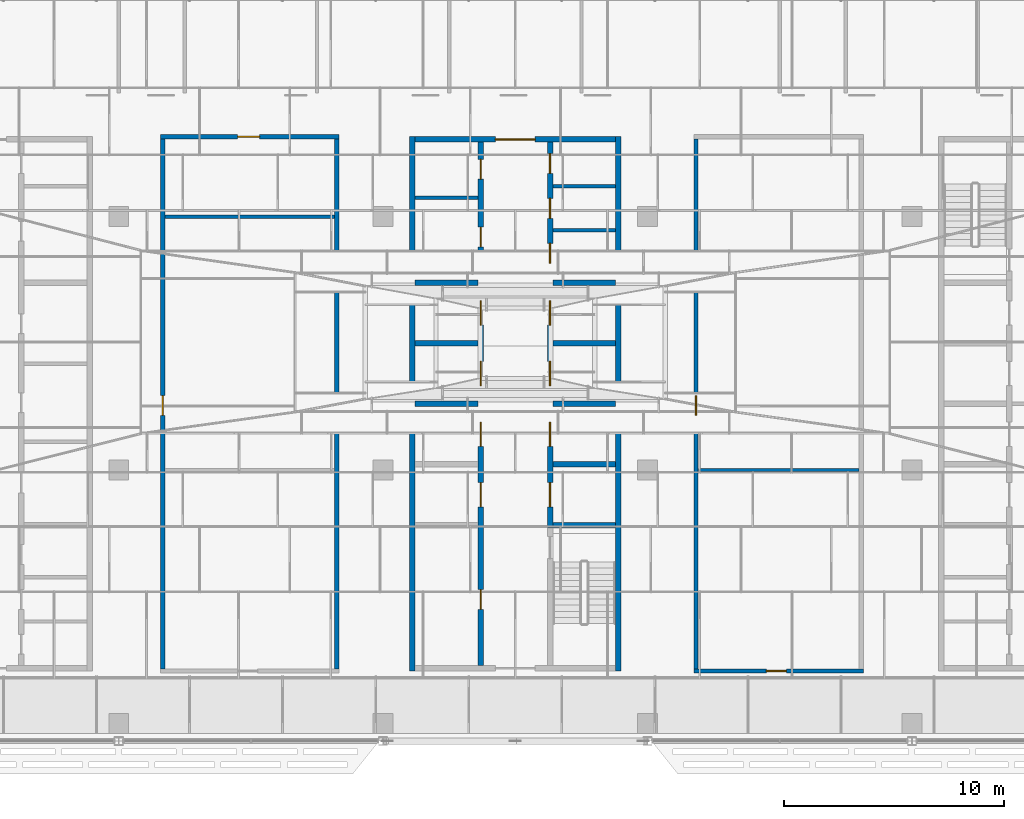
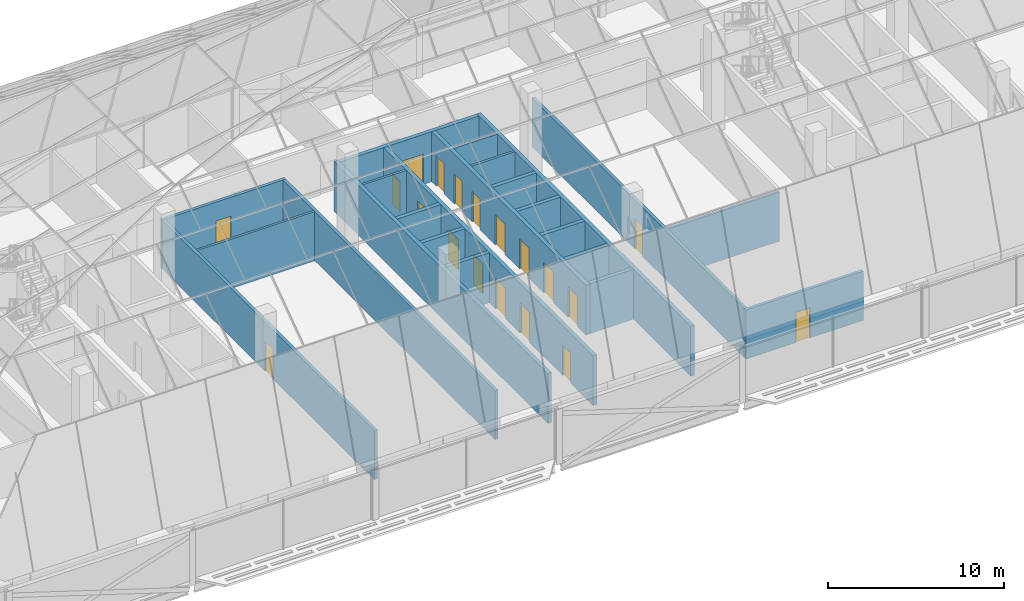
# One storey, part 25 of 39: 23 walls, 19 doors, 19 openings.
"""IFC4 building model written with IfcOpenShell, lengths in metres."""

from ifc_helpers import new_model, si_unit, direction, frame, frame_2d, origin, place, context, subcontext, project, spatial, rectangle, extrude, material, layer, layer_set, type_object, element, fill, save


model = new_model("IFC4")

# Units and contexts
model_context = context("Model", 3, precision=1e-05, world=origin(), true_north=direction((0.0, 1.0)))
body_context = subcontext(model_context, "Body", "Model", "MODEL_VIEW")
ifc_project = project(units=[si_unit("LENGTHUNIT", "METRE"), si_unit("AREAUNIT", "SQUARE_METRE"), si_unit("VOLUMEUNIT", "CUBIC_METRE"), si_unit("PLANEANGLEUNIT", "RADIAN"), si_unit("MASSUNIT", "GRAM", prefix="KILO")], contexts=[model_context])

# Site, building, storey
site_placement = place(None, origin())
site = spatial("IfcSite", under=ifc_project, at=site_placement, CompositionType="ELEMENT")
building_placement = place(site_placement, origin())
building = spatial("IfcBuilding", under=site, at=building_placement, Name="Mahtab Terrace Research Tower", CompositionType="ELEMENT")
storey_placement = place(building_placement, frame((0.0, 0.0, 282.300048828125)))
storey = spatial("IfcBuildingStorey", under=building, at=storey_placement, Name="L69", CompositionType="ELEMENT", Elevation=282.300048828125)

# Walls
ifc_material_1 = material(Name="Gypsum board partition")
ifc_layer_1 = layer(ifc_material_1, 0.14990234375)
ifc_layer_set_1 = layer_set([ifc_layer_1], Name="Core partition 150")
wall_type_1 = type_object("IfcWallType", Name="Core partition 150", PredefinedType="PARTITIONING", material=ifc_layer_set_1)
for number, where, z_axis, x_axis, name in (
    (1, (-4.550048828125, 12.35498046875, 0.0), (0.0, 0.0, 1.0), (1.0, 0.0, 0.0), "Core wall B pWN936"),
    (2, (1.699951171875, 10.875, 0.0), (0.0, 0.0, 1.0), (1.0, 0.0, 0.0), "Core wall B pEN788"),
    (3, (1.699951171875, 12.875, 0.0), (0.0, 0.0, 1.0), (1.0, 0.0, 0.0), "Core wall B pEN988"),
):
    element("IfcWall", number, at=place(storey_placement, frame(where, z_axis=z_axis, x_axis=x_axis)), inside=storey, type_object=wall_type_1, Name=name, PredefinedType="PARTITIONING", context=body_context, shape_type="SweptSolid", body=[
        extrude(rectangle(XDim=2.85009765625, YDim=0.14990234375, at=frame_2d((1.425048828125, 0.0))), origin(), (0.0, 0.0, 1.0), 3.4599609375),
    ])
ifc_material_2 = material(Name="Concrete C70/85", Category="concrete")
ifc_layer_2 = layer(ifc_material_2, 0.25)
ifc_layer_set_2 = layer_set([ifc_layer_2], Name="Core wall 250")
wall_type_2 = type_object("IfcWallType", Name="Core wall 250", PredefinedType="SOLIDWALL", material=ifc_layer_set_2)
for number, where, z_axis, x_axis, name in (
    (4, (-4.675048828125, 15.125, 0.0), (0.0, 0.0, 1.0), (0.0, -1.0, 0.0), "Core wall B outerW"),
    (5, (4.675048828125, -9.125, 0.0), (0.0, 0.0, 1.0), (0.0, 1.0, 0.0), "Core wall B outerE"),
):
    element("IfcWall", number, at=place(storey_placement, frame(where, z_axis=z_axis, x_axis=x_axis)), inside=storey, type_object=wall_type_2, Name=name, PredefinedType="SOLIDWALL", context=body_context, shape_type="SweptSolid", body=[
        extrude(rectangle(XDim=24.25, YDim=0.25, at=frame_2d((12.125, 0.0))), origin(), (0.0, 0.0, 1.0), 3.4599609375),
    ])

# Wall, opening, door
wall_1_placement = place(storey_placement, frame((-4.550048828125, 15.0, 0.0), z_axis=(0.0, 0.0, 1.0), x_axis=(1.0, 0.0, 0.0)))
wall_1 = element("IfcWall", 6, at=wall_1_placement, inside=storey, type_object=wall_type_2, Name="Core wall B endN", PredefinedType="SOLIDWALL", context=body_context, shape_type="SweptSolid", body=[
    extrude(rectangle(XDim=9.10009765625, YDim=0.25, at=frame_2d((4.550048828125, 0.0))), origin(), (0.0, 0.0, 1.0), 3.4599609375),
])
opening_1_placement = place(wall_1_placement, frame((3.64990234375, 0.0, 0.0)))
opening_1 = element("IfcOpeningElement", 7, at=opening_1_placement, cuts=wall_1, Name="Opening B-N1", PredefinedType="OPENING", context=body_context, shape_type="SweptSolid", body=[
    extrude(rectangle(XDim=1.800048828125, YDim=2.10009765625, at=frame_2d((0.89990234375, 1.050048828125))), frame((0.0, 0.135009765625, 0.0), z_axis=(0.0, -1.0, 0.0), x_axis=(1.0, 0.0, 0.0)), (0.0, 0.0, 1.0), 0.27001953125),
])
ifc_material_3 = material(Name="Steel fire door", Category="steel")
door_type_1 = type_object("IfcDoorType", Name="Lobby double door 1800x2100 1 HR", OperationType="DOUBLE_DOOR_SINGLE_SWING", PredefinedType="DOOR", material=ifc_material_3)
door_1_placement = place(opening_1_placement, origin())
door_1 = element("IfcDoor", 8, at=door_1_placement, inside=storey, type_object=door_type_1, Name="Core entrance door B N", OperationType="DOUBLE_DOOR_SINGLE_SWING", OverallHeight=2.10009765625, OverallWidth=1.800048828125, PredefinedType="DOOR", context=body_context, shape_type="SweptSolid", body=[
    extrude(rectangle(XDim=1.800048828125, YDim=2.10009765625, at=frame_2d((0.89990234375, 1.050048828125))), frame((0.0, 0.02490234375, 0.0), z_axis=(0.0, -1.0, 0.0), x_axis=(1.0, 0.0, 0.0)), (0.0, 0.0, 1.0), 0.050048828125),
])
fill(opening_1, door_1)

# Wall, openings, doors
wall_2_placement = place(storey_placement, frame((-1.574951171875, -8.875, 0.0), z_axis=(0.0, 0.0, 1.0), x_axis=(0.0, 1.0, 0.0)))
wall_2 = element("IfcWall", 9, at=wall_2_placement, inside=storey, type_object=wall_type_2, Name="Core wall B innerWSLN", PredefinedType="SOLIDWALL", context=body_context, shape_type="SweptSolid", body=[
    extrude(rectangle(XDim=23.75, YDim=0.25, at=frame_2d((11.875, 0.0))), origin(), (0.0, 0.0, 1.0), 3.4599609375),
])
opening_2_placement = place(wall_2_placement, frame((7.199951171875, 0.0, 0.0)))
opening_2 = element("IfcOpeningElement", 10, at=opening_2_placement, cuts=wall_2, Name="Opening LD09-L69", PredefinedType="OPENING", context=body_context, shape_type="SweptSolid", body=[
    extrude(rectangle(XDim=1.10009765625, YDim=2.10009765625, at=frame_2d((0.550048828125, 1.050048828125))), frame((0.0, 0.135009765625, 0.0), z_axis=(0.0, -1.0, 0.0), x_axis=(1.0, 0.0, 0.0)), (0.0, 0.0, 1.0), 0.27001953125),
])
opening_3_placement = place(wall_2_placement, frame((9.949951171875, 0.0, 0.0)))
opening_3 = element("IfcOpeningElement", 11, at=opening_3_placement, cuts=wall_2, Name="Opening LD10-L69", PredefinedType="OPENING", context=body_context, shape_type="SweptSolid", body=[
    extrude(rectangle(XDim=1.10009765625, YDim=2.10009765625, at=frame_2d((0.550048828125, 1.050048828125))), frame((0.0, 0.135009765625, 0.0), z_axis=(0.0, -1.0, 0.0), x_axis=(1.0, 0.0, 0.0)), (0.0, 0.0, 1.0), 0.27001953125),
])
opening_4_placement = place(wall_2_placement, frame((12.699951171875, 0.0, 0.0)))
opening_4 = element("IfcOpeningElement", 12, at=opening_4_placement, cuts=wall_2, Name="Opening LD11-L69", PredefinedType="OPENING", context=body_context, shape_type="SweptSolid", body=[
    extrude(rectangle(XDim=1.10009765625, YDim=2.10009765625, at=frame_2d((0.550048828125, 1.050048828125))), frame((0.0, 0.135009765625, 0.0), z_axis=(0.0, -1.0, 0.0), x_axis=(1.0, 0.0, 0.0)), (0.0, 0.0, 1.0), 0.27001953125),
])
opening_5_placement = place(wall_2_placement, frame((15.449951171875, 0.0, 0.0)))
opening_5 = element("IfcOpeningElement", 13, at=opening_5_placement, cuts=wall_2, Name="Opening LD12-L69", PredefinedType="OPENING", context=body_context, shape_type="SweptSolid", body=[
    extrude(rectangle(XDim=1.10009765625, YDim=2.10009765625, at=frame_2d((0.550048828125, 1.050048828125))), frame((0.0, 0.135009765625, 0.0), z_axis=(0.0, -1.0, 0.0), x_axis=(1.0, 0.0, 0.0)), (0.0, 0.0, 1.0), 0.27001953125),
])
opening_6_placement = place(wall_2_placement, frame((2.550048828125, 0.0, 0.0)))
opening_6 = element("IfcOpeningElement", 14, at=opening_6_placement, cuts=wall_2, Name="Opening B-R1", PredefinedType="OPENING", context=body_context, shape_type="SweptSolid", body=[
    extrude(rectangle(XDim=0.89990234375, YDim=2.10009765625, at=frame_2d((0.449951171875, 1.050048828125))), frame((0.0, 0.135009765625, 0.0), z_axis=(0.0, -1.0, 0.0), x_axis=(1.0, 0.0, 0.0)), (0.0, 0.0, 1.0), 0.27001953125),
])
opening_7_placement = place(wall_2_placement, frame((19.00244140625, 0.0, 0.0)))
opening_7 = element("IfcOpeningElement", 15, at=opening_7_placement, cuts=wall_2, Name="Opening B-R2", PredefinedType="OPENING", context=body_context, shape_type="SweptSolid", body=[
    extrude(rectangle(XDim=0.89990234375, YDim=2.10009765625, at=frame_2d((0.449951171875, 1.050048828125))), frame((0.0, 0.135009765625, 0.0), z_axis=(0.0, -1.0, 0.0), x_axis=(1.0, 0.0, 0.0)), (0.0, 0.0, 1.0), 0.27001953125),
])
opening_8_placement = place(wall_2_placement, frame((22.077392578125, 0.0, 0.0)))
opening_8 = element("IfcOpeningElement", 16, at=opening_8_placement, cuts=wall_2, Name="Opening B-R3", PredefinedType="OPENING", context=body_context, shape_type="SweptSolid", body=[
    extrude(rectangle(XDim=0.89990234375, YDim=2.10009765625, at=frame_2d((0.449951171875, 1.050048828125))), frame((0.0, 0.135009765625, 0.0), z_axis=(0.0, -1.0, 0.0), x_axis=(1.0, 0.0, 0.0)), (0.0, 0.0, 1.0), 0.27001953125),
])
ifc_material_4 = material(Name="Stainless steel AISI 304", Category="steel")
door_type_2 = type_object("IfcDoorType", Name="Landing door 1100x2100", OperationType="DOUBLE_DOOR_SLIDING", PredefinedType="DOOR", material=ifc_material_4)
door_2_placement = place(opening_2_placement, origin())
door_2 = element("IfcDoor", 17, at=door_2_placement, inside=storey, type_object=door_type_2, Name="Landing door HR1 L69", OperationType="DOUBLE_DOOR_SLIDING", OverallHeight=2.10009765625, OverallWidth=1.10009765625, PredefinedType="DOOR", context=body_context, shape_type="SweptSolid", body=[
    extrude(rectangle(XDim=1.10009765625, YDim=2.10009765625, at=frame_2d((0.550048828125, 1.050048828125))), frame((0.0, 0.02490234375, 0.0), z_axis=(0.0, -1.0, 0.0), x_axis=(1.0, 0.0, 0.0)), (0.0, 0.0, 1.0), 0.050048828125),
])
fill(opening_2, door_2)
door_3_placement = place(opening_3_placement, origin())
door_3 = element("IfcDoor", 18, at=door_3_placement, inside=storey, type_object=door_type_2, Name="Landing door HR2 L69", OperationType="DOUBLE_DOOR_SLIDING", OverallHeight=2.10009765625, OverallWidth=1.10009765625, PredefinedType="DOOR", context=body_context, shape_type="SweptSolid", body=[
    extrude(rectangle(XDim=1.10009765625, YDim=2.10009765625, at=frame_2d((0.550048828125, 1.050048828125))), frame((0.0, 0.02490234375, 0.0), z_axis=(0.0, -1.0, 0.0), x_axis=(1.0, 0.0, 0.0)), (0.0, 0.0, 1.0), 0.050048828125),
])
fill(opening_3, door_3)
door_4_placement = place(opening_4_placement, origin())
door_4 = element("IfcDoor", 19, at=door_4_placement, inside=storey, type_object=door_type_2, Name="Landing door HR3 L69", OperationType="DOUBLE_DOOR_SLIDING", OverallHeight=2.10009765625, OverallWidth=1.10009765625, PredefinedType="DOOR", context=body_context, shape_type="SweptSolid", body=[
    extrude(rectangle(XDim=1.10009765625, YDim=2.10009765625, at=frame_2d((0.550048828125, 1.050048828125))), frame((0.0, 0.02490234375, 0.0), z_axis=(0.0, -1.0, 0.0), x_axis=(1.0, 0.0, 0.0)), (0.0, 0.0, 1.0), 0.050048828125),
])
fill(opening_4, door_4)
door_5_placement = place(opening_5_placement, origin())
door_5 = element("IfcDoor", 20, at=door_5_placement, inside=storey, type_object=door_type_2, Name="Landing door HR4 L69", OperationType="DOUBLE_DOOR_SLIDING", OverallHeight=2.10009765625, OverallWidth=1.10009765625, PredefinedType="DOOR", context=body_context, shape_type="SweptSolid", body=[
    extrude(rectangle(XDim=1.10009765625, YDim=2.10009765625, at=frame_2d((0.550048828125, 1.050048828125))), frame((0.0, 0.02490234375, 0.0), z_axis=(0.0, -1.0, 0.0), x_axis=(1.0, 0.0, 0.0)), (0.0, 0.0, 1.0), 0.050048828125),
])
fill(opening_5, door_5)
door_type_3 = type_object("IfcDoorType", Name="Room door 900x2100 1 HR", OperationType="NOTDEFINED", PredefinedType="DOOR", material=ifc_material_3)
door_6_placement = place(opening_6_placement, origin())
door_6 = element("IfcDoor", 21, at=door_6_placement, inside=storey, type_object=door_type_3, Name="Gas cylinder store door", OperationType="SINGLE_SWING_LEFT", OverallHeight=2.10009765625, OverallWidth=0.89990234375, PredefinedType="DOOR", context=body_context, shape_type="SweptSolid", body=[
    extrude(rectangle(XDim=0.89990234375, YDim=2.10009765625, at=frame_2d((0.449951171875, 1.050048828125))), frame((0.0, 0.02490234375, 0.0), z_axis=(0.0, -1.0, 0.0), x_axis=(1.0, 0.0, 0.0)), (0.0, 0.0, 1.0), 0.050048828125),
])
fill(opening_6, door_6)
door_7_placement = place(opening_7_placement, origin())
door_7 = element("IfcDoor", 22, at=door_7_placement, inside=storey, type_object=door_type_3, Name="Pantry door", OperationType="SINGLE_SWING_RIGHT", OverallHeight=2.10009765625, OverallWidth=0.89990234375, PredefinedType="DOOR", context=body_context, shape_type="SweptSolid", body=[
    extrude(rectangle(XDim=0.89990234375, YDim=2.10009765625, at=frame_2d((0.449951171875, 1.050048828125))), frame((0.0, 0.02490234375, 0.0), z_axis=(0.0, -1.0, 0.0), x_axis=(1.0, 0.0, 0.0)), (0.0, 0.0, 1.0), 0.050048828125),
])
fill(opening_7, door_7)
door_8_placement = place(opening_8_placement, origin())
door_8 = element("IfcDoor", 23, at=door_8_placement, inside=storey, type_object=door_type_3, Name="Linen store door", OperationType="SINGLE_SWING_LEFT", OverallHeight=2.10009765625, OverallWidth=0.89990234375, PredefinedType="DOOR", context=body_context, shape_type="SweptSolid", body=[
    extrude(rectangle(XDim=0.89990234375, YDim=2.10009765625, at=frame_2d((0.449951171875, 1.050048828125))), frame((0.0, 0.02490234375, 0.0), z_axis=(0.0, -1.0, 0.0), x_axis=(1.0, 0.0, 0.0)), (0.0, 0.0, 1.0), 0.050048828125),
])
fill(opening_8, door_8)

wall_3_placement = place(storey_placement, frame((1.574951171875, 14.875, 0.0), z_axis=(0.0, 0.0, 1.0), x_axis=(0.0, -1.0, 0.0)))
wall_3 = element("IfcWall", 24, at=wall_3_placement, inside=storey, type_object=wall_type_2, Name="Core wall B innerELN", PredefinedType="SOLIDWALL", context=body_context, shape_type="SweptSolid", body=[
    extrude(rectangle(XDim=17.5, YDim=0.25, at=frame_2d((8.75, 0.0))), origin(), (0.0, 0.0, 1.0), 3.4599609375),
])
opening_9_placement = place(wall_3_placement, frame((15.449951171875, 0.0, 0.0)))
opening_9 = element("IfcOpeningElement", 25, at=opening_9_placement, cuts=wall_3, Name="Opening LD13-L69", PredefinedType="OPENING", context=body_context, shape_type="SweptSolid", body=[
    extrude(rectangle(XDim=1.10009765625, YDim=2.10009765625, at=frame_2d((0.550048828125, 1.050048828125))), frame((0.0, 0.135009765625, 0.0), z_axis=(0.0, -1.0, 0.0), x_axis=(1.0, 0.0, 0.0)), (0.0, 0.0, 1.0), 0.27001953125),
])
opening_10_placement = place(wall_3_placement, frame((12.699951171875, 0.0, 0.0)))
opening_10 = element("IfcOpeningElement", 26, at=opening_10_placement, cuts=wall_3, Name="Opening LD14-L69", PredefinedType="OPENING", context=body_context, shape_type="SweptSolid", body=[
    extrude(rectangle(XDim=1.10009765625, YDim=2.10009765625, at=frame_2d((0.550048828125, 1.050048828125))), frame((0.0, 0.135009765625, 0.0), z_axis=(0.0, -1.0, 0.0), x_axis=(1.0, 0.0, 0.0)), (0.0, 0.0, 1.0), 0.27001953125),
])
opening_11_placement = place(wall_3_placement, frame((9.949951171875, 0.0, 0.0)))
opening_11 = element("IfcOpeningElement", 27, at=opening_11_placement, cuts=wall_3, Name="Opening LD15-L69", PredefinedType="OPENING", context=body_context, shape_type="SweptSolid", body=[
    extrude(rectangle(XDim=1.10009765625, YDim=2.10009765625, at=frame_2d((0.550048828125, 1.050048828125))), frame((0.0, 0.135009765625, 0.0), z_axis=(0.0, -1.0, 0.0), x_axis=(1.0, 0.0, 0.0)), (0.0, 0.0, 1.0), 0.27001953125),
])
opening_12_placement = place(wall_3_placement, frame((7.199951171875, 0.0, 0.0)))
opening_12 = element("IfcOpeningElement", 28, at=opening_12_placement, cuts=wall_3, Name="Opening LD16-L69", PredefinedType="OPENING", context=body_context, shape_type="SweptSolid", body=[
    extrude(rectangle(XDim=1.10009765625, YDim=2.10009765625, at=frame_2d((0.550048828125, 1.050048828125))), frame((0.0, 0.135009765625, 0.0), z_axis=(0.0, -1.0, 0.0), x_axis=(1.0, 0.0, 0.0)), (0.0, 0.0, 1.0), 0.27001953125),
])
opening_13_placement = place(wall_3_placement, frame((4.58740234375, 0.0, 0.0)))
opening_13 = element("IfcOpeningElement", 29, at=opening_13_placement, cuts=wall_3, Name="Opening B-R4", PredefinedType="OPENING", context=body_context, shape_type="SweptSolid", body=[
    extrude(rectangle(XDim=0.89990234375, YDim=2.10009765625, at=frame_2d((0.449951171875, 1.050048828125))), frame((0.0, 0.135009765625, 0.0), z_axis=(0.0, -1.0, 0.0), x_axis=(1.0, 0.0, 0.0)), (0.0, 0.0, 1.0), 0.27001953125),
])
opening_14_placement = place(wall_3_placement, frame((2.550048828125, 0.0, 0.0)))
opening_14 = element("IfcOpeningElement", 30, at=opening_14_placement, cuts=wall_3, Name="Opening B-R5", PredefinedType="OPENING", context=body_context, shape_type="SweptSolid", body=[
    extrude(rectangle(XDim=0.89990234375, YDim=2.10009765625, at=frame_2d((0.449951171875, 1.050048828125))), frame((0.0, 0.135009765625, 0.0), z_axis=(0.0, -1.0, 0.0), x_axis=(1.0, 0.0, 0.0)), (0.0, 0.0, 1.0), 0.27001953125),
])
opening_15_placement = place(wall_3_placement, frame((0.512451171875, 0.0, 0.0)))
opening_15 = element("IfcOpeningElement", 31, at=opening_15_placement, cuts=wall_3, Name="Opening B-R6", PredefinedType="OPENING", context=body_context, shape_type="SweptSolid", body=[
    extrude(rectangle(XDim=0.89990234375, YDim=2.10009765625, at=frame_2d((0.449951171875, 1.050048828125))), frame((0.0, 0.135009765625, 0.0), z_axis=(0.0, -1.0, 0.0), x_axis=(1.0, 0.0, 0.0)), (0.0, 0.0, 1.0), 0.27001953125),
])
door_9_placement = place(opening_9_placement, origin())
door_9 = element("IfcDoor", 32, at=door_9_placement, inside=storey, type_object=door_type_2, Name="Landing door HR5 L69", OperationType="DOUBLE_DOOR_SLIDING", OverallHeight=2.10009765625, OverallWidth=1.10009765625, PredefinedType="DOOR", context=body_context, shape_type="SweptSolid", body=[
    extrude(rectangle(XDim=1.10009765625, YDim=2.10009765625, at=frame_2d((0.550048828125, 1.050048828125))), frame((0.0, 0.02490234375, 0.0), z_axis=(0.0, -1.0, 0.0), x_axis=(1.0, 0.0, 0.0)), (0.0, 0.0, 1.0), 0.050048828125),
])
fill(opening_9, door_9)
door_10_placement = place(opening_10_placement, origin())
door_10 = element("IfcDoor", 33, at=door_10_placement, inside=storey, type_object=door_type_2, Name="Landing door HR6 L69", OperationType="DOUBLE_DOOR_SLIDING", OverallHeight=2.10009765625, OverallWidth=1.10009765625, PredefinedType="DOOR", context=body_context, shape_type="SweptSolid", body=[
    extrude(rectangle(XDim=1.10009765625, YDim=2.10009765625, at=frame_2d((0.550048828125, 1.050048828125))), frame((0.0, 0.02490234375, 0.0), z_axis=(0.0, -1.0, 0.0), x_axis=(1.0, 0.0, 0.0)), (0.0, 0.0, 1.0), 0.050048828125),
])
fill(opening_10, door_10)
door_11_placement = place(opening_11_placement, origin())
door_11 = element("IfcDoor", 34, at=door_11_placement, inside=storey, type_object=door_type_2, Name="Landing door HR7 L69", OperationType="DOUBLE_DOOR_SLIDING", OverallHeight=2.10009765625, OverallWidth=1.10009765625, PredefinedType="DOOR", context=body_context, shape_type="SweptSolid", body=[
    extrude(rectangle(XDim=1.10009765625, YDim=2.10009765625, at=frame_2d((0.550048828125, 1.050048828125))), frame((0.0, 0.02490234375, 0.0), z_axis=(0.0, -1.0, 0.0), x_axis=(1.0, 0.0, 0.0)), (0.0, 0.0, 1.0), 0.050048828125),
])
fill(opening_11, door_11)
door_12_placement = place(opening_12_placement, origin())
door_12 = element("IfcDoor", 35, at=door_12_placement, inside=storey, type_object=door_type_2, Name="Landing door HR8 L69", OperationType="DOUBLE_DOOR_SLIDING", OverallHeight=2.10009765625, OverallWidth=1.10009765625, PredefinedType="DOOR", context=body_context, shape_type="SweptSolid", body=[
    extrude(rectangle(XDim=1.10009765625, YDim=2.10009765625, at=frame_2d((0.550048828125, 1.050048828125))), frame((0.0, 0.02490234375, 0.0), z_axis=(0.0, -1.0, 0.0), x_axis=(1.0, 0.0, 0.0)), (0.0, 0.0, 1.0), 0.050048828125),
])
fill(opening_12, door_12)
door_13_placement = place(opening_13_placement, origin())
door_13 = element("IfcDoor", 36, at=door_13_placement, inside=storey, type_object=door_type_3, Name="Male WC door", OperationType="SINGLE_SWING_RIGHT", OverallHeight=2.10009765625, OverallWidth=0.89990234375, PredefinedType="DOOR", context=body_context, shape_type="SweptSolid", body=[
    extrude(rectangle(XDim=0.89990234375, YDim=2.10009765625, at=frame_2d((0.449951171875, 1.050048828125))), frame((0.0, 0.02490234375, 0.0), z_axis=(0.0, -1.0, 0.0), x_axis=(1.0, 0.0, 0.0)), (0.0, 0.0, 1.0), 0.050048828125),
])
fill(opening_13, door_13)
door_14_placement = place(opening_14_placement, origin())
door_14 = element("IfcDoor", 37, at=door_14_placement, inside=storey, type_object=door_type_3, Name="Female WC door", OperationType="SINGLE_SWING_LEFT", OverallHeight=2.10009765625, OverallWidth=0.89990234375, PredefinedType="DOOR", context=body_context, shape_type="SweptSolid", body=[
    extrude(rectangle(XDim=0.89990234375, YDim=2.10009765625, at=frame_2d((0.449951171875, 1.050048828125))), frame((0.0, 0.02490234375, 0.0), z_axis=(0.0, -1.0, 0.0), x_axis=(1.0, 0.0, 0.0)), (0.0, 0.0, 1.0), 0.050048828125),
])
fill(opening_14, door_14)
door_15_placement = place(opening_15_placement, origin())
door_15 = element("IfcDoor", 38, at=door_15_placement, inside=storey, type_object=door_type_3, Name="Accessible WC door", OperationType="SINGLE_SWING_RIGHT", OverallHeight=2.10009765625, OverallWidth=0.89990234375, PredefinedType="DOOR", context=body_context, shape_type="SweptSolid", body=[
    extrude(rectangle(XDim=0.89990234375, YDim=2.10009765625, at=frame_2d((0.449951171875, 1.050048828125))), frame((0.0, 0.02490234375, 0.0), z_axis=(0.0, -1.0, 0.0), x_axis=(1.0, 0.0, 0.0)), (0.0, 0.0, 1.0), 0.050048828125),
])
fill(opening_15, door_15)

# Walls
for number, where, z_axis, x_axis, name in (
    (39, (-4.550048828125, 3.0, 0.0), (0.0, 0.0, 1.0), (1.0, 0.0, 0.0), "Core wall B divW2"),
    (40, (-4.550048828125, 5.75, 0.0), (0.0, 0.0, 1.0), (1.0, 0.0, 0.0), "Core wall B divW3"),
    (41, (-4.550048828125, 8.5, 0.0), (0.0, 0.0, 1.0), (1.0, 0.0, 0.0), "Core wall B divW4"),
    (42, (1.699951171875, -2.5, 0.0), (0.0, 0.0, 1.0), (1.0, 0.0, 0.0), "Core wall B divE0"),
    (43, (1.699951171875, 0.25, 0.0), (0.0, 0.0, 1.0), (1.0, 0.0, 0.0), "Core wall B divE1"),
    (44, (1.699951171875, 3.0, 0.0), (0.0, 0.0, 1.0), (1.0, 0.0, 0.0), "Core wall B divE2"),
    (45, (1.699951171875, 5.75, 0.0), (0.0, 0.0, 1.0), (1.0, 0.0, 0.0), "Core wall B divE3"),
    (46, (1.699951171875, 8.5, 0.0), (0.0, 0.0, 1.0), (1.0, 0.0, 0.0), "Core wall B divE4"),
):
    element("IfcWall", number, at=place(storey_placement, frame(where, z_axis=z_axis, x_axis=x_axis)), inside=storey, type_object=wall_type_2, Name=name, PredefinedType="SOLIDWALL", context=body_context, shape_type="SweptSolid", body=[
        extrude(rectangle(XDim=2.85009765625, YDim=0.25, at=frame_2d((1.425048828125, 0.0))), origin(), (0.0, 0.0, 1.0), 3.4599609375),
    ])

# Wall, opening, door
ifc_material_5 = material(Name="Gypsum board corridor wall on steel studs", Category="steel")
ifc_layer_3 = layer(ifc_material_5, 0.199951171875)
ifc_layer_set_3 = layer_set([ifc_layer_3], Name="WALL CORRIDOR 200")
wall_type_3 = type_object("IfcWallType", Name="WALL CORRIDOR 200", PredefinedType="PARTITIONING", material=ifc_layer_set_3)
wall_4_placement = place(storey_placement, frame((8.10009765625, -9.125, 0.0), z_axis=(0.0, 0.0, 1.0), x_axis=(1.0, 0.0, 0.0)))
wall_4 = element("IfcWall", 47, at=wall_4_placement, inside=storey, type_object=wall_type_3, Name="L69-W003", PredefinedType="PARTITIONING", context=body_context, shape_type="SweptSolid", body=[
    extrude(rectangle(XDim=7.699951171875, YDim=0.199951171875, at=frame_2d((3.85009765625, 0.0))), origin(), (0.0, 0.0, 1.0), 3.39990234375),
])
opening_16_placement = place(wall_4_placement, frame((3.300048828125, 0.0, 0.0)))
opening_16 = element("IfcOpeningElement", 48, at=opening_16_placement, cuts=wall_4, Name="Opening L69-103", PredefinedType="OPENING", context=body_context, shape_type="SweptSolid", body=[
    extrude(rectangle(XDim=0.89990234375, YDim=2.10009765625, at=frame_2d((0.449951171875, 1.050048828125))), frame((0.0, 0.10986328125, 0.0), z_axis=(0.0, -1.0, 0.0), x_axis=(1.0, 0.0, 0.0)), (0.0, 0.0, 1.0), 0.219970703125),
])
ifc_material_6 = material(Name="Timber door leaf in steel frame", Category="steel")
door_type_4 = type_object("IfcDoorType", Name="DOOR 0900X2100 FD30S", OperationType="SINGLE_SWING_LEFT", PredefinedType="DOOR", material=ifc_material_6)
door_16_placement = place(opening_16_placement, origin())
door_16 = element("IfcDoor", 49, at=door_16_placement, inside=storey, type_object=door_type_4, Name="Door L69-103", OperationType="SINGLE_SWING_LEFT", OverallHeight=2.10009765625, OverallWidth=0.89990234375, PredefinedType="DOOR", context=body_context, shape_type="SweptSolid", body=[
    extrude(rectangle(XDim=0.89990234375, YDim=2.10009765625, at=frame_2d((0.449951171875, 1.050048828125))), frame((0.0, 0.02490234375, 0.0), z_axis=(0.0, -1.0, 0.0), x_axis=(1.0, 0.0, 0.0)), (0.0, 0.0, 1.0), 0.050048828125),
])
fill(opening_16, door_16)

wall_5_placement = place(storey_placement, frame((-16.10009765625, 15.125, 0.0), z_axis=(0.0, 0.0, 1.0), x_axis=(1.0, 0.0, 0.0)))
wall_5 = element("IfcWall", 50, at=wall_5_placement, inside=storey, type_object=wall_type_3, Name="L69-W015", PredefinedType="PARTITIONING", context=body_context, shape_type="SweptSolid", body=[
    extrude(rectangle(XDim=8.10009765625, YDim=0.199951171875, at=frame_2d((4.050048828125, 0.0))), origin(), (0.0, 0.0, 1.0), 3.39990234375),
])
opening_17_placement = place(wall_5_placement, frame((3.5, 0.0, 0.0)))
opening_17 = element("IfcOpeningElement", 51, at=opening_17_placement, cuts=wall_5, Name="Opening L69-109", PredefinedType="OPENING", context=body_context, shape_type="SweptSolid", body=[
    extrude(rectangle(XDim=1.0, YDim=2.10009765625, at=frame_2d((0.5, 1.050048828125))), frame((0.0, 0.10986328125, 0.0), z_axis=(0.0, -1.0, 0.0), x_axis=(1.0, 0.0, 0.0)), (0.0, 0.0, 1.0), 0.219970703125),
])
door_type_5 = type_object("IfcDoorType", Name="DOOR 1000X2100 FD30S", OperationType="SINGLE_SWING_LEFT", PredefinedType="DOOR", material=ifc_material_6)
door_17_placement = place(opening_17_placement, origin())
door_17 = element("IfcDoor", 52, at=door_17_placement, inside=storey, type_object=door_type_5, Name="Door L69-109", OperationType="SINGLE_SWING_RIGHT", OverallHeight=2.10009765625, OverallWidth=1.0, PredefinedType="DOOR", context=body_context, shape_type="SweptSolid", body=[
    extrude(rectangle(XDim=1.0, YDim=2.10009765625, at=frame_2d((0.5, 1.050048828125))), frame((0.0, 0.02490234375, 0.0), z_axis=(0.0, -1.0, 0.0), x_axis=(1.0, 0.0, 0.0)), (0.0, 0.0, 1.0), 0.050048828125),
])
fill(opening_17, door_17)

wall_6_placement = place(storey_placement, frame((-16.0, -9.02490234375, 0.0), z_axis=(0.0, 0.0, 1.0), x_axis=(0.0, 1.0, 0.0)))
wall_6 = element("IfcWall", 53, at=wall_6_placement, inside=storey, type_object=wall_type_3, Name="L69-W024", PredefinedType="PARTITIONING", context=body_context, shape_type="SweptSolid", body=[
    extrude(rectangle(XDim=24.0498046875, YDim=0.199951171875, at=frame_2d((12.02490234375, 0.0))), origin(), (0.0, 0.0, 1.0), 3.39990234375),
])
opening_18_placement = place(wall_6_placement, frame((11.5, 0.0, 0.0)))
opening_18 = element("IfcOpeningElement", 54, at=opening_18_placement, cuts=wall_6, Name="Opening L69-105", PredefinedType="OPENING", context=body_context, shape_type="SweptSolid", body=[
    extrude(rectangle(XDim=0.89990234375, YDim=2.10009765625, at=frame_2d((0.449951171875, 1.050048828125))), frame((0.0, 0.10986328125, 0.0), z_axis=(0.0, -1.0, 0.0), x_axis=(1.0, 0.0, 0.0)), (0.0, 0.0, 1.0), 0.219970703125),
])
door_18_placement = place(opening_18_placement, origin())
door_18 = element("IfcDoor", 55, at=door_18_placement, inside=storey, type_object=door_type_4, Name="Door L69-105", OperationType="SINGLE_SWING_RIGHT", OverallHeight=2.10009765625, OverallWidth=0.89990234375, PredefinedType="DOOR", context=body_context, shape_type="SweptSolid", body=[
    extrude(rectangle(XDim=0.89990234375, YDim=2.10009765625, at=frame_2d((0.449951171875, 1.050048828125))), frame((0.0, 0.02490234375, 0.0), z_axis=(0.0, -1.0, 0.0), x_axis=(1.0, 0.0, 0.0)), (0.0, 0.0, 1.0), 0.050048828125),
])
fill(opening_18, door_18)

# Wall
wall_7_placement = place(storey_placement, frame((-8.10009765625, -9.02490234375, 0.0), z_axis=(0.0, 0.0, 1.0), x_axis=(0.0, 1.0, 0.0)))
element("IfcWall", 56, at=wall_7_placement, inside=storey, type_object=wall_type_3, Name="L69-W027", PredefinedType="PARTITIONING", context=body_context, shape_type="SweptSolid", body=[
    extrude(rectangle(XDim=24.0498046875, YDim=0.199951171875, at=frame_2d((12.02490234375, 0.0))), origin(), (0.0, 0.0, 1.0), 3.39990234375),
])

# Wall, opening, door
wall_8_placement = place(storey_placement, frame((8.199951171875, -9.02490234375, 0.0), z_axis=(0.0, 0.0, 1.0), x_axis=(0.0, 1.0, 0.0)))
wall_8 = element("IfcWall", 57, at=wall_8_placement, inside=storey, type_object=wall_type_3, Name="L69-W030", PredefinedType="PARTITIONING", context=body_context, shape_type="SweptSolid", body=[
    extrude(rectangle(XDim=24.0498046875, YDim=0.199951171875, at=frame_2d((12.02490234375, 0.0))), origin(), (0.0, 0.0, 1.0), 3.39990234375),
])
opening_19_placement = place(wall_8_placement, frame((11.5, 0.0, 0.0)))
opening_19 = element("IfcOpeningElement", 58, at=opening_19_placement, cuts=wall_8, Name="Opening L69-108", PredefinedType="OPENING", context=body_context, shape_type="SweptSolid", body=[
    extrude(rectangle(XDim=0.89990234375, YDim=2.10009765625, at=frame_2d((0.449951171875, 1.050048828125))), frame((0.0, 0.10986328125, 0.0), z_axis=(0.0, -1.0, 0.0), x_axis=(1.0, 0.0, 0.0)), (0.0, 0.0, 1.0), 0.219970703125),
])
door_19_placement = place(opening_19_placement, origin())
door_19 = element("IfcDoor", 59, at=door_19_placement, inside=storey, type_object=door_type_4, Name="Door L69-108", OperationType="SINGLE_SWING_RIGHT", OverallHeight=2.10009765625, OverallWidth=0.89990234375, PredefinedType="DOOR", context=body_context, shape_type="SweptSolid", body=[
    extrude(rectangle(XDim=0.89990234375, YDim=2.10009765625, at=frame_2d((0.449951171875, 1.050048828125))), frame((0.0, 0.02490234375, 0.0), z_axis=(0.0, -1.0, 0.0), x_axis=(1.0, 0.0, 0.0)), (0.0, 0.0, 1.0), 0.050048828125),
])
fill(opening_19, door_19)

# Walls
ifc_material_7 = material(Name="Gypsum board partition on steel studs", Category="steel")
ifc_layer_4 = layer(ifc_material_7, 0.14990234375)
ifc_layer_set_4 = layer_set([ifc_layer_4], Name="WALL PARTITION 150")
wall_type_4 = type_object("IfcWallType", Name="WALL PARTITION 150", PredefinedType="PARTITIONING", material=ifc_layer_set_4)
wall_9_placement = place(storey_placement, frame((8.300048828125, 0.0, 0.0), z_axis=(0.0, 0.0, 1.0), x_axis=(1.0, 0.0, 0.0)))
element("IfcWall", 60, at=wall_9_placement, inside=storey, type_object=wall_type_4, Name="L69-W008", PredefinedType="PARTITIONING", context=body_context, shape_type="SweptSolid", body=[
    extrude(rectangle(XDim=7.300048828125, YDim=0.14990234375, at=frame_2d((3.64990234375, 0.0))), origin(), (0.0, 0.0, 1.0), 3.39990234375),
])
wall_10_placement = place(storey_placement, frame((-15.89990234375, 11.5, 0.0), z_axis=(0.0, 0.0, 1.0), x_axis=(1.0, 0.0, 0.0)))
element("IfcWall", 61, at=wall_10_placement, inside=storey, type_object=wall_type_4, Name="L69-W011", PredefinedType="PARTITIONING", context=body_context, shape_type="SweptSolid", body=[
    extrude(rectangle(XDim=7.699951171875, YDim=0.14990234375, at=frame_2d((3.85009765625, 0.0))), origin(), (0.0, 0.0, 1.0), 3.39990234375),
])

save(model, "model.ifc")
